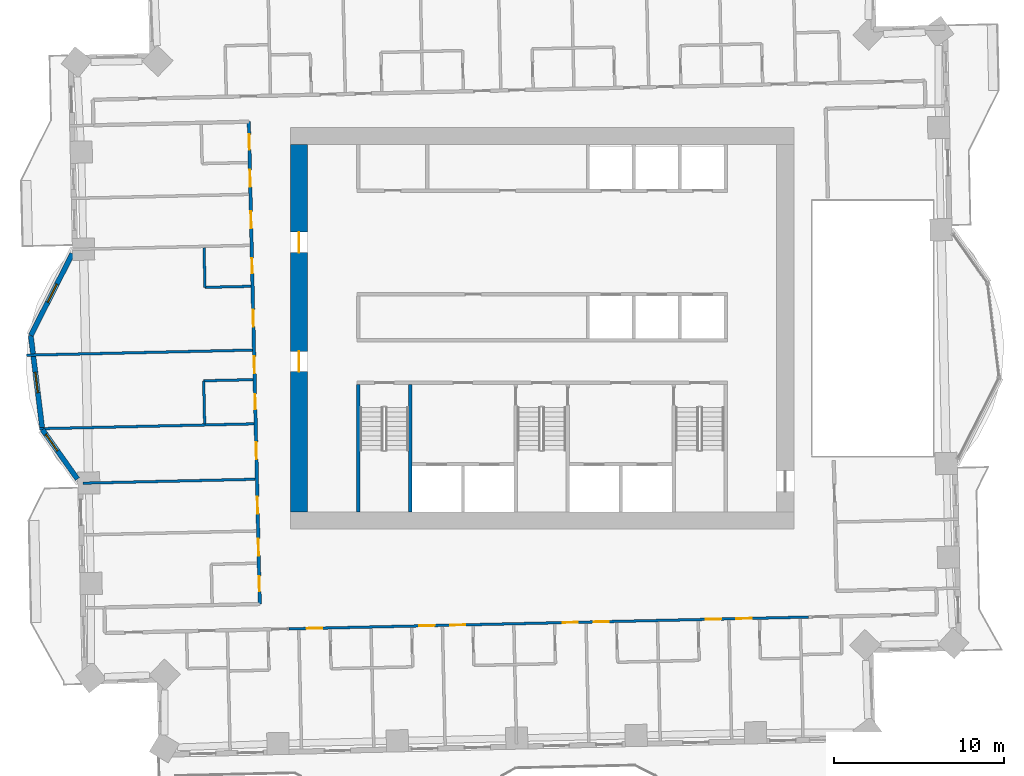
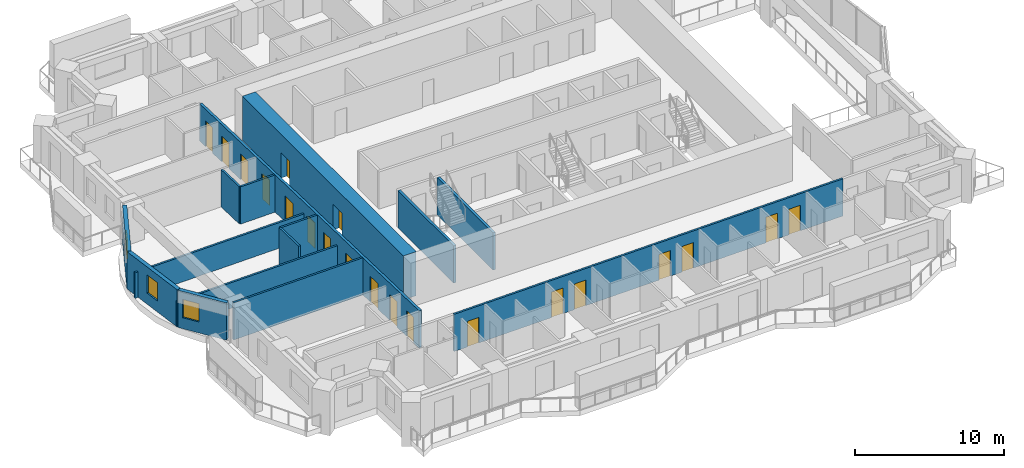
# One storey, part 7 of 16: 20 doors, 15 walls, 3 windows, 23 openings.
"""IFC4 building model written with IfcOpenShell, lengths in metres."""

from ifc_helpers import new_model, si_unit, direction, frame, frame_2d, origin, place, context, subcontext, project, spatial, rectangle, extrude, material, layer, layer_set, type_object, element, fill, save


model = new_model("IFC4")

# Units and contexts
model_context = context("Model", 3, precision=1e-05, world=origin(), true_north=direction((0.0, 1.0)))
body_context = subcontext(model_context, "Body", "Model", "MODEL_VIEW")
ifc_project = project(units=[si_unit("LENGTHUNIT", "METRE"), si_unit("AREAUNIT", "SQUARE_METRE"), si_unit("VOLUMEUNIT", "CUBIC_METRE"), si_unit("PLANEANGLEUNIT", "RADIAN"), si_unit("MASSUNIT", "GRAM", prefix="KILO")], contexts=[model_context])

# Site, building, storey
site_placement = place(None, origin())
site = spatial("IfcSite", under=ifc_project, at=site_placement, CompositionType="ELEMENT")
building_placement = place(site_placement, origin())
building = spatial("IfcBuilding", under=site, at=building_placement, Name="Mangrove Gate Tower", CompositionType="ELEMENT")
storey_placement = place(building_placement, frame((0.0, 0.0, 137.300048828125)))
storey = spatial("IfcBuildingStorey", under=building, at=storey_placement, Name="L34", CompositionType="ELEMENT", Elevation=137.300048828125)

# Walls
ifc_material_1 = material(Name="Concrete C70/85", Category="concrete")
ifc_layer_1 = layer(ifc_material_1, 0.199951171875)
ifc_layer_set_1 = layer_set([ifc_layer_1], Name="Core stair wall 200 C70/85")
wall_type_1 = type_object("IfcWallType", Name="Core stair wall 200 C70/85", PredefinedType="SHEAR", material=ifc_layer_set_1)
for number, where, z_axis, x_axis, name in (
    (1, (-10.800048828125, -10.800048828125, 0.0), (0.0, 0.0, 1.0), (0.0, 1.0, 0.0), "WALL-L34-CORE-9"),
    (2, (-7.75, -10.800048828125, 0.0), (0.0, 0.0, 1.0), (0.0, 1.0, 0.0), "WALL-L34-CORE-10"),
):
    element("IfcWall", number, at=place(storey_placement, frame(where, z_axis=z_axis, x_axis=x_axis)), inside=storey, type_object=wall_type_1, Name=name, PredefinedType="SHEAR", context=body_context, shape_type="SweptSolid", body=[
        extrude(rectangle(XDim=7.5, YDim=0.199951171875, at=frame_2d((3.75, 0.0))), origin(), (0.0, 0.0, 1.0), 3.050048828125),
    ])

# Wall, openings, doors
ifc_material_2 = material(Name="Concrete C70/85", Category="concrete")
ifc_layer_2 = layer(ifc_material_2, 1.0)
ifc_layer_set_2 = layer_set([ifc_layer_2], Name="Core wall 1000 C70/85")
wall_type_2 = type_object("IfcWallType", Name="Core wall 1000 C70/85", PredefinedType="SHEAR", material=ifc_layer_set_2)
wall_1_placement = place(storey_placement, frame((-14.300048828125, -10.800048828125, 0.0), z_axis=(0.0, 0.0, 1.0), x_axis=(0.0, 1.0, 0.0)))
wall_1 = element("IfcWall", 3, at=wall_1_placement, inside=storey, type_object=wall_type_2, Name="WALL-L34-CORE-3", PredefinedType="SHEAR", context=body_context, shape_type="SweptSolid", body=[
    extrude(rectangle(XDim=21.60009765625, YDim=1.0, at=frame_2d((10.800048828125, 0.0))), origin(), (0.0, 0.0, 1.0), 3.599853515625),
])
opening_1_placement = place(wall_1_placement, frame((8.25, 0.0, 0.0)))
opening_1 = element("IfcOpeningElement", 4, at=opening_1_placement, cuts=wall_1, Name="Opening CD", PredefinedType="OPENING", context=body_context, shape_type="SweptSolid", body=[
    extrude(rectangle(XDim=1.199951171875, YDim=2.10009765625, at=frame_2d((0.60009765625, 1.050048828125))), frame((0.0, 0.510009765625, 0.0), z_axis=(0.0, -1.0, 0.0), x_axis=(1.0, 0.0, 0.0)), (0.0, 0.0, 1.0), 1.02001953125),
])
opening_2_placement = place(wall_1_placement, frame((15.25, 0.0, 0.0)))
opening_2 = element("IfcOpeningElement", 5, at=opening_2_placement, cuts=wall_1, Name="Opening CD", PredefinedType="OPENING", context=body_context, shape_type="SweptSolid", body=[
    extrude(rectangle(XDim=1.199951171875, YDim=2.10009765625, at=frame_2d((0.60009765625, 1.050048828125))), frame((0.0, 0.510009765625, 0.0), z_axis=(0.0, -1.0, 0.0), x_axis=(1.0, 0.0, 0.0)), (0.0, 0.0, 1.0), 1.02001953125),
])
ifc_material_3 = material(Name="Fire-rated steel door set", Category="steel")
door_type_1 = type_object("IfcDoorType", Name="Core ring door FD60 1200x2100", OperationType="DOUBLE_DOOR_SINGLE_SWING", PredefinedType="DOOR", material=ifc_material_3)
door_1_placement = place(opening_1_placement, origin())
door_1 = element("IfcDoor", 6, at=door_1_placement, inside=storey, type_object=door_type_1, Name="Core ring door W1", OperationType="DOUBLE_DOOR_SINGLE_SWING", OverallHeight=2.10009765625, OverallWidth=1.199951171875, PredefinedType="DOOR", context=body_context, shape_type="SweptSolid", body=[
    extrude(rectangle(XDim=1.199951171875, YDim=2.10009765625, at=frame_2d((0.60009765625, 1.050048828125))), frame((0.0, 0.02490234375, 0.0), z_axis=(0.0, -1.0, 0.0), x_axis=(1.0, 0.0, 0.0)), (0.0, 0.0, 1.0), 0.050048828125),
])
fill(opening_1, door_1)
door_2_placement = place(opening_2_placement, origin())
door_2 = element("IfcDoor", 7, at=door_2_placement, inside=storey, type_object=door_type_1, Name="Core ring door W2", OperationType="DOUBLE_DOOR_SINGLE_SWING", OverallHeight=2.10009765625, OverallWidth=1.199951171875, PredefinedType="DOOR", context=body_context, shape_type="SweptSolid", body=[
    extrude(rectangle(XDim=1.199951171875, YDim=2.10009765625, at=frame_2d((0.60009765625, 1.050048828125))), frame((0.0, 0.02490234375, 0.0), z_axis=(0.0, -1.0, 0.0), x_axis=(1.0, 0.0, 0.0)), (0.0, 0.0, 1.0), 0.050048828125),
])
fill(opening_2, door_2)

ifc_material_4 = material(Name="Gypsum board on steel stud, EI 60", Category="steel")
ifc_layer_3 = layer(ifc_material_4, 0.199951171875)
ifc_layer_set_3 = layer_set([ifc_layer_3], Name="Corridor wall EI 60")
wall_type_3 = type_object("IfcWallType", Name="Corridor wall EI 60", PredefinedType="PARTITIONING", material=ifc_layer_set_3)
wall_2_placement = place(storey_placement, frame((-16.60302734375, -16.218017578125, 0.0), z_axis=(0.0, 0.0, 1.0), x_axis=(-0.022698146637, 0.999742363881, 0.0)))
wall_2 = element("IfcWall", 8, at=wall_2_placement, inside=storey, type_object=wall_type_3, Name="WALL-L34-033", PredefinedType="PARTITIONING", context=body_context, shape_type="SweptSolid", body=[
    extrude(rectangle(XDim=28.374267578125, YDim=0.199951171875, at=frame_2d((14.18701171875, 0.0))), origin(), (0.0, 0.0, 1.0), 3.050048828125),
])
opening_3_placement = place(wall_2_placement, frame((24.537109375, 0.0, 0.0)))
opening_3 = element("IfcOpeningElement", 9, at=opening_3_placement, cuts=wall_2, Name="Opening AD", PredefinedType="OPENING", context=body_context, shape_type="SweptSolid", body=[
    extrude(rectangle(XDim=1.0, YDim=2.10009765625, at=frame_2d((0.5, 1.050048828125))), frame((0.0, 0.10986328125, 0.0), z_axis=(0.0, -1.0, 0.0), x_axis=(1.0, 0.0, 0.0)), (0.0, 0.0, 1.0), 0.219970703125),
])
opening_4_placement = place(wall_2_placement, frame((26.72412109375, 0.0, 0.0)))
opening_4 = element("IfcOpeningElement", 10, at=opening_4_placement, cuts=wall_2, Name="Opening SD", PredefinedType="OPENING", context=body_context, shape_type="SweptSolid", body=[
    extrude(rectangle(XDim=0.89990234375, YDim=2.10009765625, at=frame_2d((0.449951171875, 1.050048828125))), frame((0.0, 0.10986328125, 0.0), z_axis=(0.0, -1.0, 0.0), x_axis=(1.0, 0.0, 0.0)), (0.0, 0.0, 1.0), 0.219970703125),
])
opening_5_placement = place(wall_2_placement, frame((22.09912109375, 0.0, 0.0)))
opening_5 = element("IfcOpeningElement", 11, at=opening_5_placement, cuts=wall_2, Name="Opening AD", PredefinedType="OPENING", context=body_context, shape_type="SweptSolid", body=[
    extrude(rectangle(XDim=1.0, YDim=2.10009765625, at=frame_2d((0.5, 1.050048828125))), frame((0.0, 0.10986328125, 0.0), z_axis=(0.0, -1.0, 0.0), x_axis=(1.0, 0.0, 0.0)), (0.0, 0.0, 1.0), 0.219970703125),
])
opening_6_placement = place(wall_2_placement, frame((16.323974609375, 0.0, 0.0)))
opening_6 = element("IfcOpeningElement", 12, at=opening_6_placement, cuts=wall_2, Name="Opening AD", PredefinedType="OPENING", context=body_context, shape_type="SweptSolid", body=[
    extrude(rectangle(XDim=1.0, YDim=2.10009765625, at=frame_2d((0.5, 1.050048828125))), frame((0.0, 0.10986328125, 0.0), z_axis=(0.0, -1.0, 0.0), x_axis=(1.0, 0.0, 0.0)), (0.0, 0.0, 1.0), 0.219970703125),
])
opening_7_placement = place(wall_2_placement, frame((19.448974609375, 0.0, 0.0)))
opening_7 = element("IfcOpeningElement", 13, at=opening_7_placement, cuts=wall_2, Name="Opening SD", PredefinedType="OPENING", context=body_context, shape_type="SweptSolid", body=[
    extrude(rectangle(XDim=0.89990234375, YDim=2.10009765625, at=frame_2d((0.449951171875, 1.050048828125))), frame((0.0, 0.10986328125, 0.0), z_axis=(0.0, -1.0, 0.0), x_axis=(1.0, 0.0, 0.0)), (0.0, 0.0, 1.0), 0.219970703125),
])
opening_8_placement = place(wall_2_placement, frame((13.573974609375, 0.0, 0.0)))
opening_8 = element("IfcOpeningElement", 14, at=opening_8_placement, cuts=wall_2, Name="Opening AD", PredefinedType="OPENING", context=body_context, shape_type="SweptSolid", body=[
    extrude(rectangle(XDim=1.0, YDim=2.10009765625, at=frame_2d((0.5, 1.050048828125))), frame((0.0, 0.10986328125, 0.0), z_axis=(0.0, -1.0, 0.0), x_axis=(1.0, 0.0, 0.0)), (0.0, 0.0, 1.0), 0.219970703125),
])
opening_9_placement = place(wall_2_placement, frame((11.448974609375, 0.0, 0.0)))
opening_9 = element("IfcOpeningElement", 15, at=opening_9_placement, cuts=wall_2, Name="Opening SD", PredefinedType="OPENING", context=body_context, shape_type="SweptSolid", body=[
    extrude(rectangle(XDim=0.89990234375, YDim=2.10009765625, at=frame_2d((0.449951171875, 1.050048828125))), frame((0.0, 0.10986328125, 0.0), z_axis=(0.0, -1.0, 0.0), x_axis=(1.0, 0.0, 0.0)), (0.0, 0.0, 1.0), 0.219970703125),
])
opening_10_placement = place(wall_2_placement, frame((8.52392578125, 0.0, 0.0)))
opening_10 = element("IfcOpeningElement", 16, at=opening_10_placement, cuts=wall_2, Name="Opening AD", PredefinedType="OPENING", context=body_context, shape_type="SweptSolid", body=[
    extrude(rectangle(XDim=1.0, YDim=2.10009765625, at=frame_2d((0.5, 1.050048828125))), frame((0.0, 0.10986328125, 0.0), z_axis=(0.0, -1.0, 0.0), x_axis=(1.0, 0.0, 0.0)), (0.0, 0.0, 1.0), 0.219970703125),
])
opening_11_placement = place(wall_2_placement, frame((5.324951171875, 0.0, 0.0)))
opening_11 = element("IfcOpeningElement", 17, at=opening_11_placement, cuts=wall_2, Name="Opening AD", PredefinedType="OPENING", context=body_context, shape_type="SweptSolid", body=[
    extrude(rectangle(XDim=1.0, YDim=2.10009765625, at=frame_2d((0.5, 1.050048828125))), frame((0.0, 0.10986328125, 0.0), z_axis=(0.0, -1.0, 0.0), x_axis=(1.0, 0.0, 0.0)), (0.0, 0.0, 1.0), 0.219970703125),
])
opening_12_placement = place(wall_2_placement, frame((2.85009765625, 0.0, 0.0)))
opening_12 = element("IfcOpeningElement", 18, at=opening_12_placement, cuts=wall_2, Name="Opening AD", PredefinedType="OPENING", context=body_context, shape_type="SweptSolid", body=[
    extrude(rectangle(XDim=1.0, YDim=2.10009765625, at=frame_2d((0.5, 1.050048828125))), frame((0.0, 0.10986328125, 0.0), z_axis=(0.0, -1.0, 0.0), x_axis=(1.0, 0.0, 0.0)), (0.0, 0.0, 1.0), 0.219970703125),
])
opening_13_placement = place(wall_2_placement, frame((0.75, 0.0, 0.0)))
opening_13 = element("IfcOpeningElement", 19, at=opening_13_placement, cuts=wall_2, Name="Opening SD", PredefinedType="OPENING", context=body_context, shape_type="SweptSolid", body=[
    extrude(rectangle(XDim=0.89990234375, YDim=2.10009765625, at=frame_2d((0.449951171875, 1.050048828125))), frame((0.0, 0.10986328125, 0.0), z_axis=(0.0, -1.0, 0.0), x_axis=(1.0, 0.0, 0.0)), (0.0, 0.0, 1.0), 0.219970703125),
])
ifc_material_5 = material(Name="Timber door leaf", Category="wood")
door_type_2 = type_object("IfcDoorType", Name="Amenity door 1000", OperationType="SINGLE_SWING_LEFT", PredefinedType="DOOR", material=ifc_material_5)
door_3_placement = place(opening_3_placement, origin())
door_3 = element("IfcDoor", 20, at=door_3_placement, inside=storey, type_object=door_type_2, Name="DOOR-L34-GAM-c5a", OperationType="SINGLE_SWING_RIGHT", OverallHeight=2.10009765625, OverallWidth=1.0, PredefinedType="DOOR", context=body_context, shape_type="SweptSolid", body=[
    extrude(rectangle(XDim=1.0, YDim=2.10009765625, at=frame_2d((0.5, 1.050048828125))), frame((0.0, 0.02490234375, 0.0), z_axis=(0.0, -1.0, 0.0), x_axis=(1.0, 0.0, 0.0)), (0.0, 0.0, 1.0), 0.050048828125),
])
fill(opening_3, door_3)
door_4_placement = place(opening_5_placement, origin())
door_4 = element("IfcDoor", 21, at=door_4_placement, inside=storey, type_object=door_type_2, Name="DOOR-L34-STU-c5a", OperationType="SINGLE_SWING_LEFT", OverallHeight=2.10009765625, OverallWidth=1.0, PredefinedType="DOOR", context=body_context, shape_type="SweptSolid", body=[
    extrude(rectangle(XDim=1.0, YDim=2.10009765625, at=frame_2d((0.5, 1.050048828125))), frame((0.0, 0.02490234375, 0.0), z_axis=(0.0, -1.0, 0.0), x_axis=(1.0, 0.0, 0.0)), (0.0, 0.0, 1.0), 0.050048828125),
])
fill(opening_5, door_4)
door_5_placement = place(opening_6_placement, origin())
door_5 = element("IfcDoor", 22, at=door_5_placement, inside=storey, type_object=door_type_2, Name="DOOR-L34-LNG-c5b", OperationType="SINGLE_SWING_RIGHT", OverallHeight=2.10009765625, OverallWidth=1.0, PredefinedType="DOOR", context=body_context, shape_type="SweptSolid", body=[
    extrude(rectangle(XDim=1.0, YDim=2.10009765625, at=frame_2d((0.5, 1.050048828125))), frame((0.0, 0.02490234375, 0.0), z_axis=(0.0, -1.0, 0.0), x_axis=(1.0, 0.0, 0.0)), (0.0, 0.0, 1.0), 0.050048828125),
])
fill(opening_6, door_5)
door_6_placement = place(opening_8_placement, origin())
door_6 = element("IfcDoor", 23, at=door_6_placement, inside=storey, type_object=door_type_2, Name="DOOR-L34-STU-c5b", OperationType="SINGLE_SWING_LEFT", OverallHeight=2.10009765625, OverallWidth=1.0, PredefinedType="DOOR", context=body_context, shape_type="SweptSolid", body=[
    extrude(rectangle(XDim=1.0, YDim=2.10009765625, at=frame_2d((0.5, 1.050048828125))), frame((0.0, 0.02490234375, 0.0), z_axis=(0.0, -1.0, 0.0), x_axis=(1.0, 0.0, 0.0)), (0.0, 0.0, 1.0), 0.050048828125),
])
fill(opening_8, door_6)
door_7_placement = place(opening_10_placement, origin())
door_7 = element("IfcDoor", 24, at=door_7_placement, inside=storey, type_object=door_type_2, Name="DOOR-L34-STU-c5c", OperationType="SINGLE_SWING_RIGHT", OverallHeight=2.10009765625, OverallWidth=1.0, PredefinedType="DOOR", context=body_context, shape_type="SweptSolid", body=[
    extrude(rectangle(XDim=1.0, YDim=2.10009765625, at=frame_2d((0.5, 1.050048828125))), frame((0.0, 0.02490234375, 0.0), z_axis=(0.0, -1.0, 0.0), x_axis=(1.0, 0.0, 0.0)), (0.0, 0.0, 1.0), 0.050048828125),
])
fill(opening_10, door_7)
door_8_placement = place(opening_11_placement, origin())
door_8 = element("IfcDoor", 25, at=door_8_placement, inside=storey, type_object=door_type_2, Name="DOOR-L34-STU-c5d", OperationType="SINGLE_SWING_LEFT", OverallHeight=2.10009765625, OverallWidth=1.0, PredefinedType="DOOR", context=body_context, shape_type="SweptSolid", body=[
    extrude(rectangle(XDim=1.0, YDim=2.10009765625, at=frame_2d((0.5, 1.050048828125))), frame((0.0, 0.02490234375, 0.0), z_axis=(0.0, -1.0, 0.0), x_axis=(1.0, 0.0, 0.0)), (0.0, 0.0, 1.0), 0.050048828125),
])
fill(opening_11, door_8)
door_9_placement = place(opening_12_placement, origin())
door_9 = element("IfcDoor", 26, at=door_9_placement, inside=storey, type_object=door_type_2, Name="DOOR-L34-KIT-c5a", OperationType="SINGLE_SWING_RIGHT", OverallHeight=2.10009765625, OverallWidth=1.0, PredefinedType="DOOR", context=body_context, shape_type="SweptSolid", body=[
    extrude(rectangle(XDim=1.0, YDim=2.10009765625, at=frame_2d((0.5, 1.050048828125))), frame((0.0, 0.02490234375, 0.0), z_axis=(0.0, -1.0, 0.0), x_axis=(1.0, 0.0, 0.0)), (0.0, 0.0, 1.0), 0.050048828125),
])
fill(opening_12, door_9)
ifc_material_6 = material(Name="Timber door leaf", Category="wood")
door_type_3 = type_object("IfcDoorType", Name="Service room door 900", OperationType="SINGLE_SWING_LEFT", PredefinedType="DOOR", material=ifc_material_6)
door_10_placement = place(opening_4_placement, origin())
door_10 = element("IfcDoor", 27, at=door_10_placement, inside=storey, type_object=door_type_3, Name="DOOR-L34-WC-c5a", OperationType="SINGLE_SWING_LEFT", OverallHeight=2.10009765625, OverallWidth=0.89990234375, PredefinedType="DOOR", context=body_context, shape_type="SweptSolid", body=[
    extrude(rectangle(XDim=0.89990234375, YDim=2.10009765625, at=frame_2d((0.449951171875, 1.050048828125))), frame((0.0, 0.02490234375, 0.0), z_axis=(0.0, -1.0, 0.0), x_axis=(1.0, 0.0, 0.0)), (0.0, 0.0, 1.0), 0.050048828125),
])
fill(opening_4, door_10)
door_11_placement = place(opening_7_placement, origin())
door_11 = element("IfcDoor", 28, at=door_11_placement, inside=storey, type_object=door_type_3, Name="DOOR-L34-WC-c5b", OperationType="SINGLE_SWING_RIGHT", OverallHeight=2.10009765625, OverallWidth=0.89990234375, PredefinedType="DOOR", context=body_context, shape_type="SweptSolid", body=[
    extrude(rectangle(XDim=0.89990234375, YDim=2.10009765625, at=frame_2d((0.449951171875, 1.050048828125))), frame((0.0, 0.02490234375, 0.0), z_axis=(0.0, -1.0, 0.0), x_axis=(1.0, 0.0, 0.0)), (0.0, 0.0, 1.0), 0.050048828125),
])
fill(opening_7, door_11)
door_12_placement = place(opening_9_placement, origin())
door_12 = element("IfcDoor", 29, at=door_12_placement, inside=storey, type_object=door_type_3, Name="DOOR-L34-AWC-c5b", OperationType="SINGLE_SWING_LEFT", OverallHeight=2.10009765625, OverallWidth=0.89990234375, PredefinedType="DOOR", context=body_context, shape_type="SweptSolid", body=[
    extrude(rectangle(XDim=0.89990234375, YDim=2.10009765625, at=frame_2d((0.449951171875, 1.050048828125))), frame((0.0, 0.02490234375, 0.0), z_axis=(0.0, -1.0, 0.0), x_axis=(1.0, 0.0, 0.0)), (0.0, 0.0, 1.0), 0.050048828125),
])
fill(opening_9, door_12)
door_13_placement = place(opening_13_placement, origin())
door_13 = element("IfcDoor", 30, at=door_13_placement, inside=storey, type_object=door_type_3, Name="DOOR-L34-WC-c5c", OperationType="SINGLE_SWING_RIGHT", OverallHeight=2.10009765625, OverallWidth=0.89990234375, PredefinedType="DOOR", context=body_context, shape_type="SweptSolid", body=[
    extrude(rectangle(XDim=0.89990234375, YDim=2.10009765625, at=frame_2d((0.449951171875, 1.050048828125))), frame((0.0, 0.02490234375, 0.0), z_axis=(0.0, -1.0, 0.0), x_axis=(1.0, 0.0, 0.0)), (0.0, 0.0, 1.0), 0.050048828125),
])
fill(opening_13, door_13)

# Wall, opening, window
ifc_material_7 = material(Name="Limestone", Category="masonry")
ifc_layer_4 = layer(ifc_material_7, 0.0400390625, Name="Limestone cladding")
ifc_material_8 = material(Name="Ventilated air gap")
ifc_layer_5 = layer(ifc_material_8, 0.0400390625, Name="Ventilated cavity")
ifc_material_9 = material(Name="Mineral wool insulation")
ifc_layer_6 = layer(ifc_material_9, 0.06005859375, Name="Insulation")
ifc_material_10 = material(Name="Breather membrane")
ifc_layer_7 = layer(ifc_material_10, 0.001953125, Name="Breather membrane")
ifc_material_11 = material(Name="Concrete C20/25 blockwork", Category="masonry")
ifc_layer_8 = layer(ifc_material_11, 0.14990234375, Name="Blockwork backing wall")
ifc_material_12 = material(Name="Gypsum plaster")
ifc_layer_9 = layer(ifc_material_12, 0.008056640625, Name="Internal plaster")
ifc_layer_set_4 = layer_set([ifc_layer_4, ifc_layer_5, ifc_layer_6, ifc_layer_7, ifc_layer_8, ifc_layer_9], Name="External wall 300 limestone cladding")
wall_type_4 = type_object("IfcWallType", Name="External wall 300 limestone cladding", PredefinedType="SOLIDWALL", material=ifc_layer_set_4)
wall_3_placement = place(storey_placement, frame((-27.625, 4.39208984375, 0.0), z_axis=(0.0, 0.0, 1.0), x_axis=(-0.45268572245, -0.891670138947, 0.0)))
wall_3 = element("IfcWall", 31, at=wall_3_placement, inside=storey, type_object=wall_type_4, Name="WALL-L34-W9f1", PredefinedType="SOLIDWALL", context=body_context, shape_type="SweptSolid", body=[
    extrude(rectangle(XDim=5.399169921875, YDim=0.300048828125, at=frame_2d((2.69970703125, 0.0))), origin(), (0.0, 0.0, 1.0), 3.050048828125),
])
opening_14_placement = place(wall_3_placement, frame((2.008056640625, 0.0, 0.89990234375)))
opening_14 = element("IfcOpeningElement", 32, at=opening_14_placement, cuts=wall_3, Name="Opening W1", PredefinedType="OPENING", context=body_context, shape_type="SweptSolid", body=[
    extrude(rectangle(XDim=1.199951171875, YDim=1.5, at=frame_2d((0.60009765625, 0.75))), frame((0.0, 0.159912109375, 0.0), z_axis=(0.0, -1.0, 0.0), x_axis=(1.0, 0.0, 0.0)), (0.0, 0.0, 1.0), 0.320068359375),
])
ifc_material_13 = material(Name="Aluminium frame with double-glazed low-e glass", Category="aluminium")
window_type = type_object("IfcWindowType", Name="Side lite 1200x1500", PartitioningType="SINGLE_PANEL", PredefinedType="WINDOW", material=ifc_material_13)
window_1_placement = place(opening_14_placement, origin())
window_1 = element("IfcWindow", 33, at=window_1_placement, inside=storey, type_object=window_type, Name="WIN-L34-W9f1", OverallHeight=1.5, OverallWidth=1.199951171875, PartitioningType="SINGLE_PANEL", PredefinedType="WINDOW", context=body_context, shape_type="SweptSolid", body=[
    extrude(rectangle(XDim=1.199951171875, YDim=1.5, at=frame_2d((0.60009765625, 0.75))), frame((0.0, 0.030029296875, 0.0), z_axis=(0.0, -1.0, 0.0), x_axis=(1.0, 0.0, 0.0)), (0.0, 0.0, 1.0), 0.06005859375),
])
fill(opening_14, window_1)

wall_4_placement = place(storey_placement, frame((-30.069091796875, -0.422119140625, 0.0), z_axis=(0.0, 0.0, 1.0), x_axis=(0.122206978992, -0.992504636909, 0.0)))
wall_4 = element("IfcWall", 34, at=wall_4_placement, inside=storey, type_object=wall_type_4, Name="WALL-L34-W9f2", PredefinedType="SOLIDWALL", context=body_context, shape_type="SweptSolid", body=[
    extrude(rectangle(XDim=5.57373046875, YDim=0.300048828125, at=frame_2d((2.786865234375, 0.0))), origin(), (0.0, 0.0, 1.0), 3.050048828125),
])
opening_15_placement = place(wall_4_placement, frame((2.18701171875, 0.0, 0.89990234375)))
opening_15 = element("IfcOpeningElement", 35, at=opening_15_placement, cuts=wall_4, Name="Opening W1", PredefinedType="OPENING", context=body_context, shape_type="SweptSolid", body=[
    extrude(rectangle(XDim=1.199951171875, YDim=1.5, at=frame_2d((0.60009765625, 0.75))), frame((0.0, 0.159912109375, 0.0), z_axis=(0.0, -1.0, 0.0), x_axis=(1.0, 0.0, 0.0)), (0.0, 0.0, 1.0), 0.320068359375),
])
window_2_placement = place(opening_15_placement, origin())
window_2 = element("IfcWindow", 36, at=window_2_placement, inside=storey, type_object=window_type, Name="WIN-L34-W9f2", OverallHeight=1.5, OverallWidth=1.199951171875, PartitioningType="SINGLE_PANEL", PredefinedType="WINDOW", context=body_context, shape_type="SweptSolid", body=[
    extrude(rectangle(XDim=1.199951171875, YDim=1.5, at=frame_2d((0.60009765625, 0.75))), frame((0.0, 0.030029296875, 0.0), z_axis=(0.0, -1.0, 0.0), x_axis=(1.0, 0.0, 0.0)), (0.0, 0.0, 1.0), 0.06005859375),
])
fill(opening_15, window_2)

wall_5_placement = place(storey_placement, frame((-29.387939453125, -5.9541015625, 0.0), z_axis=(0.0, 0.0, 1.0), x_axis=(0.578095163598, -0.815969351033, 0.0)))
wall_5 = element("IfcWall", 37, at=wall_5_placement, inside=storey, type_object=wall_type_4, Name="WALL-L34-W9f3", PredefinedType="SOLIDWALL", context=body_context, shape_type="SweptSolid", body=[
    extrude(rectangle(XDim=3.568603515625, YDim=0.300048828125, at=frame_2d((1.7841796875, 0.0))), origin(), (0.0, 0.0, 1.0), 3.050048828125),
])
opening_16_placement = place(wall_5_placement, frame((0.337890625, 0.0, 0.89990234375)))
opening_16 = element("IfcOpeningElement", 38, at=opening_16_placement, cuts=wall_5, Name="Opening W1", PredefinedType="OPENING", context=body_context, shape_type="SweptSolid", body=[
    extrude(rectangle(XDim=1.199951171875, YDim=1.5, at=frame_2d((0.60009765625, 0.75))), frame((0.0, 0.159912109375, 0.0), z_axis=(0.0, -1.0, 0.0), x_axis=(1.0, 0.0, 0.0)), (0.0, 0.0, 1.0), 0.320068359375),
])
window_3_placement = place(opening_16_placement, origin())
window_3 = element("IfcWindow", 39, at=window_3_placement, inside=storey, type_object=window_type, Name="WIN-L34-W9f3", OverallHeight=1.5, OverallWidth=1.199951171875, PartitioningType="SINGLE_PANEL", PredefinedType="WINDOW", context=body_context, shape_type="SweptSolid", body=[
    extrude(rectangle(XDim=1.199951171875, YDim=1.5, at=frame_2d((0.60009765625, 0.75))), frame((0.0, 0.030029296875, 0.0), z_axis=(0.0, -1.0, 0.0), x_axis=(1.0, 0.0, 0.0)), (0.0, 0.0, 1.0), 0.06005859375),
])
fill(opening_16, window_3)

# Wall, openings, doors
ifc_material_14 = material(Name="Gypsum board on steel stud, EI 60", Category="steel")
ifc_layer_10 = layer(ifc_material_14, 0.14990234375)
ifc_layer_set_5 = layer_set([ifc_layer_10], Name="Party wall 150 EI 60")
wall_type_5 = type_object("IfcWallType", Name="Party wall 150 EI 60", PredefinedType="PARTITIONING", material=ifc_layer_set_5)
wall_6_placement = place(storey_placement, frame((-14.87109375, -17.675048828125, 0.0), z_axis=(0.0, 0.0, 1.0), x_axis=(0.999742359486, 0.02269834024, 0.0)))
wall_6 = element("IfcWall", 40, at=wall_6_placement, inside=storey, type_object=wall_type_5, Name="WALL-L34-030", PredefinedType="PARTITIONING", context=body_context, shape_type="SweptSolid", body=[
    extrude(rectangle(XDim=30.535888671875, YDim=0.14990234375, at=frame_2d((15.26806640625, 0.0))), origin(), (0.0, 0.0, 1.0), 3.050048828125),
])
opening_17_placement = place(wall_6_placement, frame((1.033935546875, 0.0, 0.0)))
opening_17 = element("IfcOpeningElement", 41, at=opening_17_placement, cuts=wall_6, Name="Opening BD", PredefinedType="OPENING", context=body_context, shape_type="SweptSolid", body=[
    extrude(rectangle(XDim=0.89990234375, YDim=2.10009765625, at=frame_2d((0.449951171875, 1.050048828125))), frame((0.0, 0.0849609375, 0.0), z_axis=(0.0, -1.0, 0.0), x_axis=(1.0, 0.0, 0.0)), (0.0, 0.0, 1.0), 0.169921875),
])
opening_18_placement = place(wall_6_placement, frame((7.658935546875, 0.0, 0.0)))
opening_18 = element("IfcOpeningElement", 42, at=opening_18_placement, cuts=wall_6, Name="Opening BD", PredefinedType="OPENING", context=body_context, shape_type="SweptSolid", body=[
    extrude(rectangle(XDim=0.89990234375, YDim=2.10009765625, at=frame_2d((0.449951171875, 1.050048828125))), frame((0.0, 0.0849609375, 0.0), z_axis=(0.0, -1.0, 0.0), x_axis=(1.0, 0.0, 0.0)), (0.0, 0.0, 1.0), 0.169921875),
])
opening_19_placement = place(wall_6_placement, frame((9.458984375, 0.0, 0.0)))
opening_19 = element("IfcOpeningElement", 43, at=opening_19_placement, cuts=wall_6, Name="Opening BD", PredefinedType="OPENING", context=body_context, shape_type="SweptSolid", body=[
    extrude(rectangle(XDim=0.89990234375, YDim=2.10009765625, at=frame_2d((0.449951171875, 1.050048828125))), frame((0.0, 0.0849609375, 0.0), z_axis=(0.0, -1.0, 0.0), x_axis=(1.0, 0.0, 0.0)), (0.0, 0.0, 1.0), 0.169921875),
])
opening_20_placement = place(wall_6_placement, frame((16.083984375, 0.0, 0.0)))
opening_20 = element("IfcOpeningElement", 44, at=opening_20_placement, cuts=wall_6, Name="Opening BD", PredefinedType="OPENING", context=body_context, shape_type="SweptSolid", body=[
    extrude(rectangle(XDim=0.89990234375, YDim=2.10009765625, at=frame_2d((0.449951171875, 1.050048828125))), frame((0.0, 0.0849609375, 0.0), z_axis=(0.0, -1.0, 0.0), x_axis=(1.0, 0.0, 0.0)), (0.0, 0.0, 1.0), 0.169921875),
])
opening_21_placement = place(wall_6_placement, frame((17.908935546875, 0.0, 0.0)))
opening_21 = element("IfcOpeningElement", 45, at=opening_21_placement, cuts=wall_6, Name="Opening BD", PredefinedType="OPENING", context=body_context, shape_type="SweptSolid", body=[
    extrude(rectangle(XDim=0.89990234375, YDim=2.10009765625, at=frame_2d((0.449951171875, 1.050048828125))), frame((0.0, 0.0849609375, 0.0), z_axis=(0.0, -1.0, 0.0), x_axis=(1.0, 0.0, 0.0)), (0.0, 0.0, 1.0), 0.169921875),
])
opening_22_placement = place(wall_6_placement, frame((24.509033203125, 0.0, 0.0)))
opening_22 = element("IfcOpeningElement", 46, at=opening_22_placement, cuts=wall_6, Name="Opening BD", PredefinedType="OPENING", context=body_context, shape_type="SweptSolid", body=[
    extrude(rectangle(XDim=0.89990234375, YDim=2.10009765625, at=frame_2d((0.449951171875, 1.050048828125))), frame((0.0, 0.0849609375, 0.0), z_axis=(0.0, -1.0, 0.0), x_axis=(1.0, 0.0, 0.0)), (0.0, 0.0, 1.0), 0.169921875),
])
opening_23_placement = place(wall_6_placement, frame((26.30908203125, 0.0, 0.0)))
opening_23 = element("IfcOpeningElement", 47, at=opening_23_placement, cuts=wall_6, Name="Opening BD", PredefinedType="OPENING", context=body_context, shape_type="SweptSolid", body=[
    extrude(rectangle(XDim=0.89990234375, YDim=2.10009765625, at=frame_2d((0.449951171875, 1.050048828125))), frame((0.0, 0.0849609375, 0.0), z_axis=(0.0, -1.0, 0.0), x_axis=(1.0, 0.0, 0.0)), (0.0, 0.0, 1.0), 0.169921875),
])
ifc_material_15 = material(Name="Timber door leaf", Category="wood")
door_type_4 = type_object("IfcDoorType", Name="Bedroom door 900", OperationType="SINGLE_SWING_LEFT", PredefinedType="DOOR", material=ifc_material_15)
door_14_placement = place(opening_17_placement, origin())
door_14 = element("IfcDoor", 48, at=door_14_placement, inside=storey, type_object=door_type_4, Name="DOOR-L34-BED-c102", OperationType="SINGLE_SWING_RIGHT", OverallHeight=2.10009765625, OverallWidth=0.89990234375, PredefinedType="DOOR", context=body_context, shape_type="SweptSolid", body=[
    extrude(rectangle(XDim=0.89990234375, YDim=2.10009765625, at=frame_2d((0.449951171875, 1.050048828125))), frame((0.0, 0.02490234375, 0.0), z_axis=(0.0, -1.0, 0.0), x_axis=(1.0, 0.0, 0.0)), (0.0, 0.0, 1.0), 0.050048828125),
])
fill(opening_17, door_14)
door_15_placement = place(opening_18_placement, origin())
door_15 = element("IfcDoor", 49, at=door_15_placement, inside=storey, type_object=door_type_4, Name="DOOR-L34-BED-c103", OperationType="SINGLE_SWING_LEFT", OverallHeight=2.10009765625, OverallWidth=0.89990234375, PredefinedType="DOOR", context=body_context, shape_type="SweptSolid", body=[
    extrude(rectangle(XDim=0.89990234375, YDim=2.10009765625, at=frame_2d((0.449951171875, 1.050048828125))), frame((0.0, 0.02490234375, 0.0), z_axis=(0.0, -1.0, 0.0), x_axis=(1.0, 0.0, 0.0)), (0.0, 0.0, 1.0), 0.050048828125),
])
fill(opening_18, door_15)
door_16_placement = place(opening_19_placement, origin())
door_16 = element("IfcDoor", 50, at=door_16_placement, inside=storey, type_object=door_type_4, Name="DOOR-L34-BED-c204", OperationType="SINGLE_SWING_RIGHT", OverallHeight=2.10009765625, OverallWidth=0.89990234375, PredefinedType="DOOR", context=body_context, shape_type="SweptSolid", body=[
    extrude(rectangle(XDim=0.89990234375, YDim=2.10009765625, at=frame_2d((0.449951171875, 1.050048828125))), frame((0.0, 0.02490234375, 0.0), z_axis=(0.0, -1.0, 0.0), x_axis=(1.0, 0.0, 0.0)), (0.0, 0.0, 1.0), 0.050048828125),
])
fill(opening_19, door_16)
door_17_placement = place(opening_20_placement, origin())
door_17 = element("IfcDoor", 51, at=door_17_placement, inside=storey, type_object=door_type_4, Name="DOOR-L34-BED-c205", OperationType="SINGLE_SWING_LEFT", OverallHeight=2.10009765625, OverallWidth=0.89990234375, PredefinedType="DOOR", context=body_context, shape_type="SweptSolid", body=[
    extrude(rectangle(XDim=0.89990234375, YDim=2.10009765625, at=frame_2d((0.449951171875, 1.050048828125))), frame((0.0, 0.02490234375, 0.0), z_axis=(0.0, -1.0, 0.0), x_axis=(1.0, 0.0, 0.0)), (0.0, 0.0, 1.0), 0.050048828125),
])
fill(opening_20, door_17)
door_18_placement = place(opening_21_placement, origin())
door_18 = element("IfcDoor", 52, at=door_18_placement, inside=storey, type_object=door_type_4, Name="DOOR-L34-BED-c206", OperationType="SINGLE_SWING_RIGHT", OverallHeight=2.10009765625, OverallWidth=0.89990234375, PredefinedType="DOOR", context=body_context, shape_type="SweptSolid", body=[
    extrude(rectangle(XDim=0.89990234375, YDim=2.10009765625, at=frame_2d((0.449951171875, 1.050048828125))), frame((0.0, 0.02490234375, 0.0), z_axis=(0.0, -1.0, 0.0), x_axis=(1.0, 0.0, 0.0)), (0.0, 0.0, 1.0), 0.050048828125),
])
fill(opening_21, door_18)
door_19_placement = place(opening_22_placement, origin())
door_19 = element("IfcDoor", 53, at=door_19_placement, inside=storey, type_object=door_type_4, Name="DOOR-L34-BED-c307", OperationType="SINGLE_SWING_LEFT", OverallHeight=2.10009765625, OverallWidth=0.89990234375, PredefinedType="DOOR", context=body_context, shape_type="SweptSolid", body=[
    extrude(rectangle(XDim=0.89990234375, YDim=2.10009765625, at=frame_2d((0.449951171875, 1.050048828125))), frame((0.0, 0.02490234375, 0.0), z_axis=(0.0, -1.0, 0.0), x_axis=(1.0, 0.0, 0.0)), (0.0, 0.0, 1.0), 0.050048828125),
])
fill(opening_22, door_19)
door_20_placement = place(opening_23_placement, origin())
door_20 = element("IfcDoor", 54, at=door_20_placement, inside=storey, type_object=door_type_4, Name="DOOR-L34-BED-c308", OperationType="SINGLE_SWING_RIGHT", OverallHeight=2.10009765625, OverallWidth=0.89990234375, PredefinedType="DOOR", context=body_context, shape_type="SweptSolid", body=[
    extrude(rectangle(XDim=0.89990234375, YDim=2.10009765625, at=frame_2d((0.449951171875, 1.050048828125))), frame((0.0, 0.02490234375, 0.0), z_axis=(0.0, -1.0, 0.0), x_axis=(1.0, 0.0, 0.0)), (0.0, 0.0, 1.0), 0.050048828125),
])
fill(opening_23, door_20)

# Walls
wall_7_placement = place(storey_placement, frame((-27.010009765625, -9.10791015625, 0.0), z_axis=(0.0, 0.0, 1.0), x_axis=(0.999742841246, 0.022677111331, 0.0)))
element("IfcWall", 55, at=wall_7_placement, inside=storey, type_object=wall_type_5, Name="WALL-L34-042", PredefinedType="PARTITIONING", context=body_context, shape_type="SweptSolid", body=[
    extrude(rectangle(XDim=10.1416015625, YDim=0.14990234375, at=frame_2d((5.07080078125, 0.0))), origin(), (0.0, 0.0, 1.0), 3.050048828125),
])
wall_8_placement = place(storey_placement, frame((-19.844970703125, -5.614990234375, 0.0), z_axis=(0.0, 0.0, 1.0), x_axis=(-0.022629142889, 0.99974392816, 0.0)))
element("IfcWall", 56, at=wall_8_placement, inside=storey, type_object=wall_type_5, Name="WALL-L34-043", PredefinedType="PARTITIONING", context=body_context, shape_type="SweptSolid", body=[
    extrude(rectangle(XDim=2.524658203125, YDim=0.14990234375, at=frame_2d((1.26220703125, 0.0))), origin(), (0.0, 0.0, 1.0), 3.050048828125),
])
wall_9_placement = place(storey_placement, frame((-29.56103515625, -5.905029296875, 0.0), z_axis=(0.0, 0.0, 1.0), x_axis=(0.999742903154, 0.022674381858, 0.0)))
element("IfcWall", 57, at=wall_9_placement, inside=storey, type_object=wall_type_5, Name="WALL-L34-044", PredefinedType="PARTITIONING", context=body_context, shape_type="SweptSolid", body=[
    extrude(rectangle(XDim=12.619140625, YDim=0.14990234375, at=frame_2d((6.3095703125, 0.0))), origin(), (0.0, 0.0, 1.0), 2.099853515625),
])
wall_10_placement = place(storey_placement, frame((-19.903076171875, -3.0859375, 0.0), z_axis=(0.0, 0.0, 1.0), x_axis=(0.999741618182, 0.022730967319, 0.0)))
element("IfcWall", 58, at=wall_10_placement, inside=storey, type_object=wall_type_5, Name="WALL-L34-045", PredefinedType="PARTITIONING", context=body_context, shape_type="SweptSolid", body=[
    extrude(rectangle(XDim=2.89990234375, YDim=0.14990234375, at=frame_2d((1.449951171875, 0.0))), origin(), (0.0, 0.0, 1.0), 3.050048828125),
])
wall_11_placement = place(storey_placement, frame((-30.30810546875, -1.5810546875, 0.0), z_axis=(0.0, 0.0, 1.0), x_axis=(0.999742613892, 0.022687132236, 0.0)))
element("IfcWall", 59, at=wall_11_placement, inside=storey, type_object=wall_type_5, Name="WALL-L34-046", PredefinedType="PARTITIONING", context=body_context, shape_type="SweptSolid", body=[
    extrude(rectangle(XDim=13.2685546875, YDim=0.14990234375, at=frame_2d((6.63427734375, 0.0))), origin(), (0.0, 0.0, 1.0), 2.099853515625),
])
wall_12_placement = place(storey_placement, frame((-19.827880859375, 2.407958984375, 0.0), z_axis=(0.0, 0.0, 1.0), x_axis=(0.99974458177, 0.022600248254, 0.0)))
element("IfcWall", 60, at=wall_12_placement, inside=storey, type_object=wall_type_5, Name="WALL-L34-047", PredefinedType="PARTITIONING", context=body_context, shape_type="SweptSolid", body=[
    extrude(rectangle(XDim=2.70068359375, YDim=0.14990234375, at=frame_2d((1.350341796875, 0.0))), origin(), (0.0, 0.0, 1.0), 3.050048828125),
])
wall_13_placement = place(storey_placement, frame((-19.826904296875, 2.4130859375, 0.0), z_axis=(0.0, 0.0, 1.0), x_axis=(-0.02279059109, 0.999740260747, 0.0)))
element("IfcWall", 61, at=wall_13_placement, inside=storey, type_object=wall_type_5, Name="WALL-L34-048", PredefinedType="PARTITIONING", context=body_context, shape_type="SweptSolid", body=[
    extrude(rectangle(XDim=2.324462890625, YDim=0.14990234375, at=frame_2d((1.162109375, 0.0))), origin(), (0.0, 0.0, 1.0), 3.050048828125),
])

save(model, "model.ifc")
